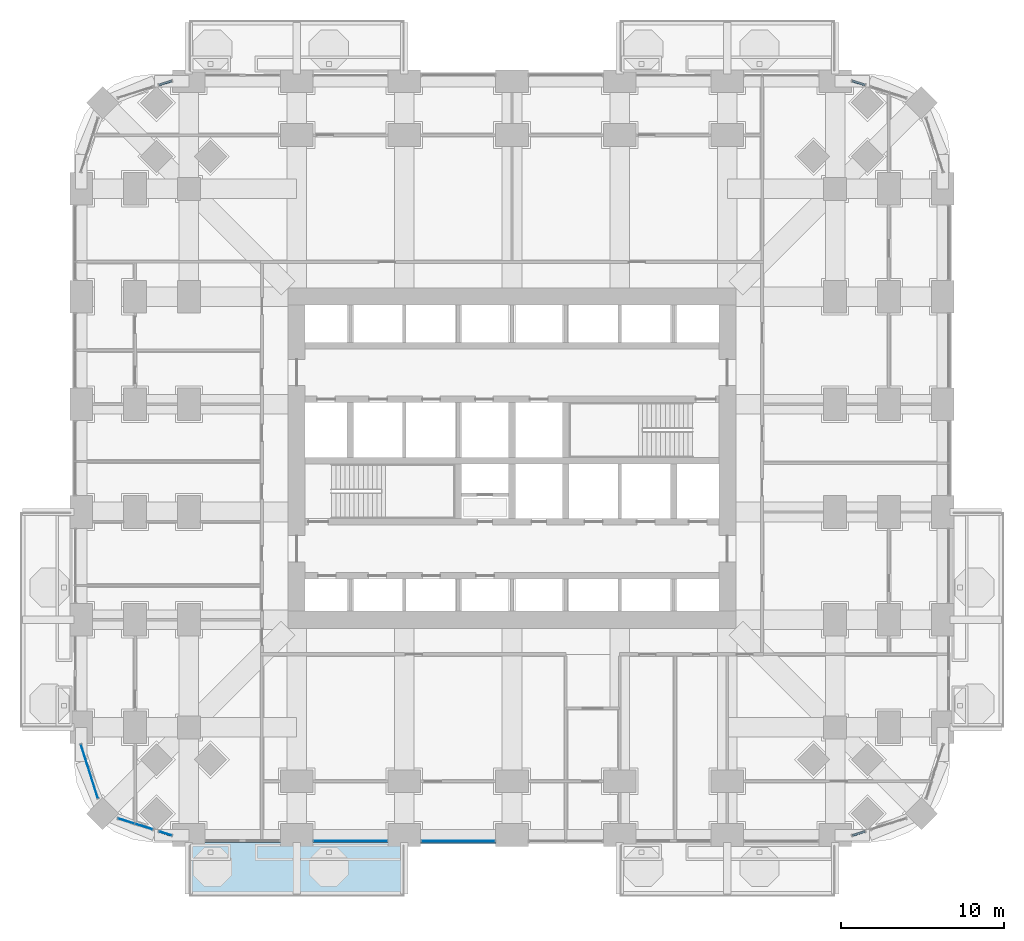
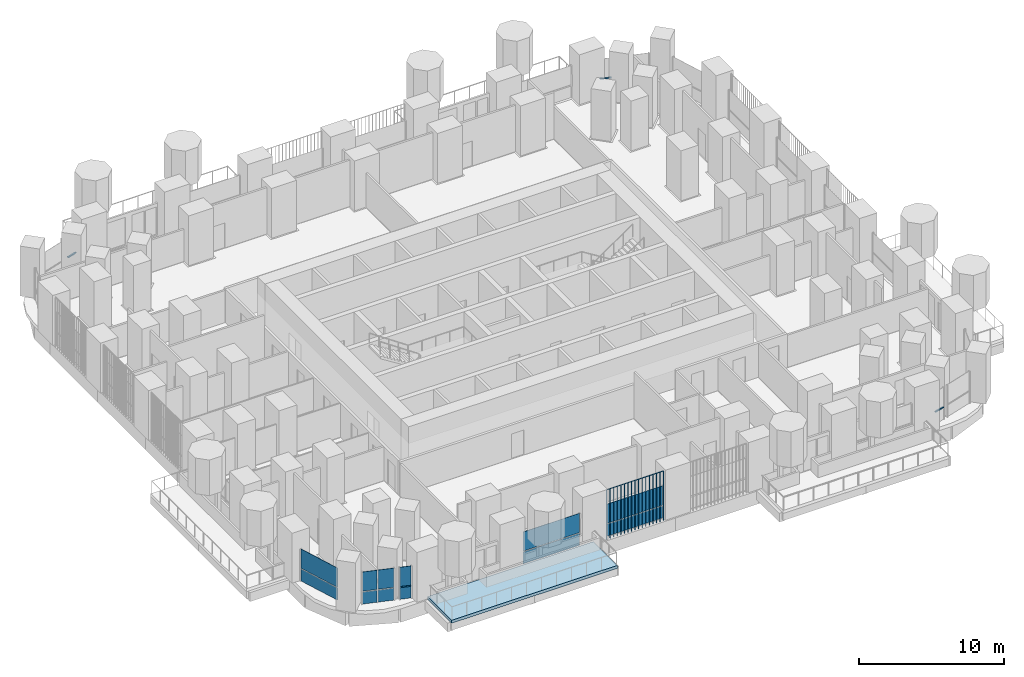
# One storey, part 11 of 25: 13 plates, 4 members, 1 slab, 8 elements without a shape of their own.
"""IFC4 building model written with IfcOpenShell, lengths in metres."""

from ifc_helpers import new_model, si_unit, direction, frame, origin, origin_2d, place, context, subcontext, project, spatial, polyline, rectangle, outline, extrude, material, layer, layer_set, material_profile, profile_set, type_object, element, aggregate, save


model = new_model("IFC4")

# Units and contexts
model_context = context("Model", 3, precision=1e-05, world=origin(), true_north=direction((0.0, 1.0)))
body_context = subcontext(model_context, "Body", "Model", "MODEL_VIEW")
ifc_project = project(units=[si_unit("LENGTHUNIT", "METRE"), si_unit("AREAUNIT", "SQUARE_METRE"), si_unit("VOLUMEUNIT", "CUBIC_METRE"), si_unit("PLANEANGLEUNIT", "RADIAN"), si_unit("MASSUNIT", "GRAM", prefix="KILO")], contexts=[model_context])

# Site, building, storey
site_placement = place(None, origin())
site = spatial("IfcSite", under=ifc_project, at=site_placement, CompositionType="ELEMENT")
building_placement = place(site_placement, origin())
building = spatial("IfcBuilding", under=site, at=building_placement, Name="Cobogo Forest Laboratory Tower", CompositionType="ELEMENT")
storey_placement = place(building_placement, frame((0.0, 0.0, 21.300048828125)))
storey = spatial("IfcBuildingStorey", under=building, at=storey_placement, Name="L04", CompositionType="ELEMENT", Elevation=21.300048828125)

# Curtain wall, member
ifc_material_1 = material(Name="Aluminium curtain wall", Category="aluminium")
curtain_wall_type = type_object("IfcCurtainWallType", Name="CW-1 unitised curtain wall, clear glazing, laboratory floors zones A and B", PredefinedType="USERDEFINED", material=ifc_material_1)
curtain_wall_1_placement = place(storey_placement, origin())
curtain_wall_1 = element("IfcCurtainWall", 1, at=curtain_wall_1_placement, inside=storey, type_object=curtain_wall_type, Name="Curtain wall 07 L04", ObjectType="UNITISED CURTAIN WALL", PredefinedType="USERDEFINED")
ifc_material_2 = material(Name="Aluminium transom", Category="aluminium")
ifc_material_profile = material_profile(ifc_material_2, rectangle(XDim=0.1201171875, YDim=0.06005859375, at=origin_2d()), Name="AL 60x120")
ifc_profile_set = profile_set([ifc_material_profile], Name="Aluminium transom")
member_type = type_object("IfcMemberType", Name="TR-1 aluminium transom 60x120", PredefinedType="USERDEFINED", material=ifc_profile_set)
member_1_placement = place(storey_placement, frame((47.25732421875, -0.01611328125, 1.050048828125), z_axis=(0.953541389606, 0.301262042596, 0.0), x_axis=(-0.301262042596, 0.953541389606, 0.0)))
member_1 = element("IfcMember", 2, at=member_1_placement, type_object=member_type, Name="CW-1 transom 1.1", ObjectType="TRANSOM", PredefinedType="USERDEFINED", context=body_context, shape_type="SweptSolid", body=[
    extrude(rectangle(XDim=0.1201171875, YDim=0.06005859375, at=origin_2d()), origin(), (0.0, 0.0, 1.0), 0.8046875),
])
aggregate(curtain_wall_1, [member_1])

curtain_wall_2_placement = place(storey_placement, origin())
curtain_wall_2 = element("IfcCurtainWall", 3, at=curtain_wall_2_placement, inside=storey, type_object=curtain_wall_type, Name="Curtain wall 17 L04", ObjectType="UNITISED CURTAIN WALL", PredefinedType="USERDEFINED")
member_2_placement = place(storey_placement, frame((48.024658203125, 45.973876953125, 1.050048828125), z_axis=(-0.953628510017, 0.300986153973, 0.0), x_axis=(-0.300986153973, -0.953628510017, 0.0)))
member_2 = element("IfcMember", 4, at=member_2_placement, type_object=member_type, Name="CW-1 transom 1.1", ObjectType="TRANSOM", PredefinedType="USERDEFINED", context=body_context, shape_type="SweptSolid", body=[
    extrude(rectangle(XDim=0.1201171875, YDim=0.06005859375, at=origin_2d()), origin(), (0.0, 0.0, 1.0), 0.8046875),
])
aggregate(curtain_wall_2, [member_2])

curtain_wall_3_placement = place(storey_placement, origin())
curtain_wall_3 = element("IfcCurtainWall", 5, at=curtain_wall_3_placement, inside=storey, type_object=curtain_wall_type, Name="Curtain wall 24 L04", ObjectType="UNITISED CURTAIN WALL", PredefinedType="USERDEFINED")
member_3_placement = place(storey_placement, frame((5.542724609375, 46.216064453125, 1.050048828125), z_axis=(-0.953628510017, -0.300986153973, 0.0), x_axis=(0.300986153973, -0.953628510017, 0.0)))
member_3 = element("IfcMember", 6, at=member_3_placement, type_object=member_type, Name="CW-1 transom 1.1", ObjectType="TRANSOM", PredefinedType="USERDEFINED", context=body_context, shape_type="SweptSolid", body=[
    extrude(rectangle(XDim=0.1201171875, YDim=0.06005859375, at=origin_2d()), origin(), (0.0, 0.0, 1.0), 0.8046875),
])
aggregate(curtain_wall_3, [member_3])

curtain_wall_4_placement = place(storey_placement, origin())
curtain_wall_4 = element("IfcCurtainWall", 7, at=curtain_wall_4_placement, inside=storey, type_object=curtain_wall_type, Name="Curtain wall 34 L04", ObjectType="UNITISED CURTAIN WALL", PredefinedType="USERDEFINED")
member_4_placement = place(storey_placement, frame((4.775390625, 0.226318359375, 1.050048828125), z_axis=(0.953541389606, -0.301262042596, 0.0), x_axis=(0.301262042596, 0.953541389606, 0.0)))
member_4 = element("IfcMember", 8, at=member_4_placement, type_object=member_type, Name="CW-1 transom 1.1", ObjectType="TRANSOM", PredefinedType="USERDEFINED", context=body_context, shape_type="SweptSolid", body=[
    extrude(rectangle(XDim=0.1201171875, YDim=0.06005859375, at=origin_2d()), origin(), (0.0, 0.0, 1.0), 0.8046875),
])

# Slab
ifc_material_3 = material(Name="Concrete HA-40 (C40/50)", Category="concrete")
ifc_layer_1 = layer(ifc_material_3, 0.25)
ifc_layer_set_1 = layer_set([ifc_layer_1], Name="Balcony slab 250")
slab_type = type_object("IfcSlabType", Name="Balcony slab 250", PredefinedType="FLOOR", material=ifc_layer_set_1)
slab_placement = place(storey_placement, frame((0.0, 0.0, -0.25)))
element("IfcSlab", 9, at=slab_placement, inside=storey, type_object=slab_type, Name="Balcony BAL-S1 L04", PredefinedType="FLOOR", context=body_context, shape_type="SweptSolid", body=[
    extrude(outline(polyline([(6.60009765625, -3.75), (19.800048828125, -3.75), (19.800048828125, -0.449951171875), (6.60009765625, -0.449951171875), (6.60009765625, -3.75)])), origin(), (0.0, 0.0, 1.0), 0.25),
])

# Curtain wall, plates
curtain_wall_5_placement = place(storey_placement, origin())
curtain_wall_5 = element("IfcCurtainWall", 10, at=curtain_wall_5_placement, inside=storey, type_object=curtain_wall_type, Name="Curtain wall 02 L04", ObjectType="UNITISED CURTAIN WALL", PredefinedType="USERDEFINED")
ifc_material_4 = material(Name="Clear insulated glass", Category="glass")
ifc_layer_2 = layer(ifc_material_4, 0.028076171875)
ifc_layer_set_2 = layer_set([ifc_layer_2], Name="GP-1 clear insulated glass unit 28")
plate_type_1 = type_object("IfcPlateType", Name="GP-1 clear insulated glass unit 28", PredefinedType="CURTAIN_PANEL", material=ifc_layer_set_2)
plate_1_placement = place(storey_placement, frame((16.5, -0.35009765625, 0.0), z_axis=(0.0, 0.0, 1.0), x_axis=(1.0, 0.0, 0.0)))
plate_1 = element("IfcPlate", 11, at=plate_1_placement, type_object=plate_type_1, Name="CW-1 panel 1.1", PredefinedType="CURTAIN_PANEL", context=body_context, shape_type="SweptSolid", body=[
    extrude(rectangle(XDim=4.47998046875, YDim=0.028076171875, at=origin_2d()), origin(), (0.0, 0.0, 1.0), 1.02001953125),
])
plate_2_placement = place(storey_placement, frame((16.5, -0.35009765625, 1.079833984375), z_axis=(0.0, 0.0, 1.0), x_axis=(1.0, 0.0, 0.0)))
plate_2 = element("IfcPlate", 12, at=plate_2_placement, type_object=plate_type_1, Name="CW-1 panel 1.2", PredefinedType="CURTAIN_PANEL", context=body_context, shape_type="SweptSolid", body=[
    extrude(rectangle(XDim=4.47998046875, YDim=0.028076171875, at=origin_2d()), origin(), (0.0, 0.0, 1.0), 1.6201171875),
])
aggregate(curtain_wall_5, [plate_1, plate_2])

curtain_wall_6_placement = place(storey_placement, origin())
curtain_wall_6 = element("IfcCurtainWall", 13, at=curtain_wall_6_placement, inside=storey, type_object=curtain_wall_type, Name="Curtain wall 03 L04", ObjectType="UNITISED CURTAIN WALL", PredefinedType="USERDEFINED")
plate_3_placement = place(storey_placement, frame((23.10009765625, -0.35009765625, 0.0), z_axis=(0.0, 0.0, 1.0), x_axis=(1.0, 0.0, 0.0)))
plate_3 = element("IfcPlate", 14, at=plate_3_placement, type_object=plate_type_1, Name="CW-1 panel 1.1", PredefinedType="CURTAIN_PANEL", context=body_context, shape_type="SweptSolid", body=[
    extrude(rectangle(XDim=4.47998046875, YDim=0.028076171875, at=origin_2d()), origin(), (0.0, 0.0, 1.0), 1.02001953125),
])
plate_4_placement = place(storey_placement, frame((23.10009765625, -0.35009765625, 1.079833984375), z_axis=(0.0, 0.0, 1.0), x_axis=(1.0, 0.0, 0.0)))
plate_4 = element("IfcPlate", 15, at=plate_4_placement, type_object=plate_type_1, Name="CW-1 panel 1.2", PredefinedType="CURTAIN_PANEL", context=body_context, shape_type="SweptSolid", body=[
    extrude(rectangle(XDim=4.47998046875, YDim=0.028076171875, at=origin_2d()), origin(), (0.0, 0.0, 1.0), 1.6201171875),
])
aggregate(curtain_wall_6, [plate_3, plate_4])

curtain_wall_7_placement = place(storey_placement, origin())
curtain_wall_7 = element("IfcCurtainWall", 16, at=curtain_wall_7_placement, inside=storey, type_object=curtain_wall_type, Name="Curtain wall 32 L04", ObjectType="UNITISED CURTAIN WALL", PredefinedType="USERDEFINED")
plate_5_placement = place(storey_placement, frame((0.5009765625, 3.905029296875, 0.0), z_axis=(0.0, 0.0, 1.0), x_axis=(0.301135433696, -0.953581381201, 0.0)))
plate_5 = element("IfcPlate", 17, at=plate_5_placement, type_object=plate_type_1, Name="CW-1 panel 1.1", PredefinedType="CURTAIN_PANEL", context=body_context, shape_type="SweptSolid", body=[
    extrude(rectangle(XDim=3.434814453125, YDim=0.028076171875, at=origin_2d()), origin(), (0.0, 0.0, 1.0), 1.02001953125),
])
plate_6_placement = place(storey_placement, frame((0.5009765625, 3.905029296875, 1.079833984375), z_axis=(0.0, 0.0, 1.0), x_axis=(0.301135433696, -0.953581381201, 0.0)))
plate_6 = element("IfcPlate", 18, at=plate_6_placement, type_object=plate_type_1, Name="CW-1 panel 1.2", PredefinedType="CURTAIN_PANEL", context=body_context, shape_type="SweptSolid", body=[
    extrude(rectangle(XDim=3.434814453125, YDim=0.028076171875, at=origin_2d()), origin(), (0.0, 0.0, 1.0), 1.6201171875),
])
aggregate(curtain_wall_7, [plate_5, plate_6])

curtain_wall_8_placement = place(storey_placement, origin())
curtain_wall_8 = element("IfcCurtainWall", 19, at=curtain_wall_8_placement, inside=storey, type_object=curtain_wall_type, Name="Curtain wall 33 L04", ObjectType="UNITISED CURTAIN WALL", PredefinedType="USERDEFINED")
plate_7_placement = place(storey_placement, frame((2.75732421875, 0.863525390625, 0.0), z_axis=(0.0, 0.0, 1.0), x_axis=(0.953581409645, -0.301135343623, 0.0)))
plate_7 = element("IfcPlate", 20, at=plate_7_placement, type_object=plate_type_1, Name="CW-1 panel 1.1", PredefinedType="CURTAIN_PANEL", context=body_context, shape_type="SweptSolid", body=[
    extrude(rectangle(XDim=1.027587890625, YDim=0.028076171875, at=origin_2d()), origin(), (0.0, 0.0, 1.0), 1.02001953125),
])
plate_8_placement = place(storey_placement, frame((2.75732421875, 0.863525390625, 1.079833984375), z_axis=(0.0, 0.0, 1.0), x_axis=(0.953581409645, -0.301135343623, 0.0)))
plate_8 = element("IfcPlate", 21, at=plate_8_placement, type_object=plate_type_1, Name="CW-1 panel 1.2", PredefinedType="CURTAIN_PANEL", context=body_context, shape_type="SweptSolid", body=[
    extrude(rectangle(XDim=1.027587890625, YDim=0.028076171875, at=origin_2d()), origin(), (0.0, 0.0, 1.0), 1.6201171875),
])
plate_9_placement = place(storey_placement, frame((3.83642578125, 0.522705078125, 0.0), z_axis=(0.0, 0.0, 1.0), x_axis=(0.953581409645, -0.301135343623, 0.0)))
plate_9 = element("IfcPlate", 22, at=plate_9_placement, type_object=plate_type_1, Name="CW-1 panel 2.1", PredefinedType="CURTAIN_PANEL", context=body_context, shape_type="SweptSolid", body=[
    extrude(rectangle(XDim=1.11572265625, YDim=0.028076171875, at=origin_2d()), origin(), (0.0, 0.0, 1.0), 1.02001953125),
])
plate_10_placement = place(storey_placement, frame((3.83642578125, 0.522705078125, 1.079833984375), z_axis=(0.0, 0.0, 1.0), x_axis=(0.953581409645, -0.301135343623, 0.0)))
plate_10 = element("IfcPlate", 23, at=plate_10_placement, type_object=plate_type_1, Name="CW-1 panel 2.2", PredefinedType="CURTAIN_PANEL", context=body_context, shape_type="SweptSolid", body=[
    extrude(rectangle(XDim=1.11572265625, YDim=0.028076171875, at=origin_2d()), origin(), (0.0, 0.0, 1.0), 1.6201171875),
])
aggregate(curtain_wall_8, [plate_7, plate_8, plate_9, plate_10])

# Plate
plate_11_placement = place(storey_placement, frame((5.158935546875, 0.10498046875, 0.0), z_axis=(0.0, 0.0, 1.0), x_axis=(0.953581406818, -0.301135352577, 0.0)))
plate_11 = element("IfcPlate", 24, at=plate_11_placement, type_object=plate_type_1, Name="CW-1 panel 1.1", PredefinedType="CURTAIN_PANEL", context=body_context, shape_type="SweptSolid", body=[
    extrude(rectangle(XDim=0.804931640625, YDim=0.028076171875, at=origin_2d()), origin(), (0.0, 0.0, 1.0), 1.02001953125),
])

plate_12_placement = place(storey_placement, frame((5.158935546875, 0.10498046875, 1.079833984375), z_axis=(0.0, 0.0, 1.0), x_axis=(0.953581406818, -0.301135352577, 0.0)))
plate_12 = element("IfcPlate", 25, at=plate_12_placement, type_object=plate_type_1, Name="CW-1 panel 1.2", PredefinedType="CURTAIN_PANEL", context=body_context, shape_type="SweptSolid", body=[
    extrude(rectangle(XDim=0.804931640625, YDim=0.028076171875, at=origin_2d()), origin(), (0.0, 0.0, 1.0), 1.6201171875),
])

aggregate(curtain_wall_4, [member_4, plate_11, plate_12])

ifc_material_5 = material(Name="Terracotta", Category="masonry")
plate_type_2 = type_object("IfcPlateType", Name="TB1 terracotta baguette screen", PredefinedType="USERDEFINED", material=ifc_material_5)
plate_13_placement = place(storey_placement, frame((20.831298828125, -0.477783203125, -0.150146484375)))
element("IfcPlate", 26, at=plate_13_placement, inside=storey, type_object=plate_type_2, Name="Baguette screen S3 L04", ObjectType="BAGUETTE SCREEN", PredefinedType="USERDEFINED", context=body_context, shape_type="SweptSolid", body=[
    extrude(outline(polyline([(0.02880859375, 0.011962890625), (0.011962890625, 0.02880859375), (-0.011962890625, 0.02880859375), (-0.02880859375, 0.011962890625), (-0.02880859375, -0.011962890625), (-0.011962890625, -0.02880859375), (0.011962890625, -0.02880859375), (0.02880859375, -0.011962890625), (0.02880859375, 0.011962890625)])), frame((0.0, 0.0, 4.168701171875), z_axis=(1.0, 0.0, 0.0), x_axis=(0.0, 1.0, 0.0)), (0.0, 0.0, 1.0), 4.537353515625),
    extrude(outline(polyline([(0.02880859375, 0.011962890625), (0.011962890625, 0.02880859375), (-0.011962890625, 0.02880859375), (-0.02880859375, 0.011962890625), (-0.02880859375, -0.011962890625), (-0.011962890625, -0.02880859375), (0.011962890625, -0.02880859375), (0.02880859375, -0.011962890625), (0.02880859375, 0.011962890625)])), origin(), (0.0, 0.0, 1.0), 4.137451171875),
    extrude(outline(polyline([(0.02880859375, 0.011962890625), (0.011962890625, 0.02880859375), (-0.011962890625, 0.02880859375), (-0.02880859375, 0.011962890625), (-0.02880859375, -0.011962890625), (-0.011962890625, -0.02880859375), (0.011962890625, -0.02880859375), (0.02880859375, -0.011962890625), (0.02880859375, 0.011962890625)])), frame((0.28369140625, 0.0, 0.0)), (0.0, 0.0, 1.0), 4.137451171875),
    extrude(outline(polyline([(0.02880859375, 0.011962890625), (0.011962890625, 0.02880859375), (-0.011962890625, 0.02880859375), (-0.02880859375, 0.011962890625), (-0.02880859375, -0.011962890625), (-0.011962890625, -0.02880859375), (0.011962890625, -0.02880859375), (0.02880859375, -0.011962890625), (0.02880859375, 0.011962890625)])), frame((0.567138671875, 0.0, 0.0)), (0.0, 0.0, 1.0), 4.137451171875),
    extrude(outline(polyline([(0.02880859375, 0.011962890625), (0.011962890625, 0.02880859375), (-0.011962890625, 0.02880859375), (-0.02880859375, 0.011962890625), (-0.02880859375, -0.011962890625), (-0.011962890625, -0.02880859375), (0.011962890625, -0.02880859375), (0.02880859375, -0.011962890625), (0.02880859375, 0.011962890625)])), frame((0.850830078125, 0.0, 0.0)), (0.0, 0.0, 1.0), 4.137451171875),
    extrude(outline(polyline([(0.02880859375, 0.011962890625), (0.011962890625, 0.02880859375), (-0.011962890625, 0.02880859375), (-0.02880859375, 0.011962890625), (-0.02880859375, -0.011962890625), (-0.011962890625, -0.02880859375), (0.011962890625, -0.02880859375), (0.02880859375, -0.011962890625), (0.02880859375, 0.011962890625)])), frame((1.13427734375, 0.0, 0.0)), (0.0, 0.0, 1.0), 4.137451171875),
    extrude(outline(polyline([(0.02880859375, 0.011962890625), (0.011962890625, 0.02880859375), (-0.011962890625, 0.02880859375), (-0.02880859375, 0.011962890625), (-0.02880859375, -0.011962890625), (-0.011962890625, -0.02880859375), (0.011962890625, -0.02880859375), (0.02880859375, -0.011962890625), (0.02880859375, 0.011962890625)])), frame((1.41796875, 0.0, 0.0)), (0.0, 0.0, 1.0), 4.137451171875),
    extrude(outline(polyline([(0.02880859375, 0.011962890625), (0.011962890625, 0.02880859375), (-0.011962890625, 0.02880859375), (-0.02880859375, 0.011962890625), (-0.02880859375, -0.011962890625), (-0.011962890625, -0.02880859375), (0.011962890625, -0.02880859375), (0.02880859375, -0.011962890625), (0.02880859375, 0.011962890625)])), frame((1.701416015625, 0.0, 0.0)), (0.0, 0.0, 1.0), 4.137451171875),
    extrude(outline(polyline([(0.02880859375, 0.011962890625), (0.011962890625, 0.02880859375), (-0.011962890625, 0.02880859375), (-0.02880859375, 0.011962890625), (-0.02880859375, -0.011962890625), (-0.011962890625, -0.02880859375), (0.011962890625, -0.02880859375), (0.02880859375, -0.011962890625), (0.02880859375, 0.011962890625)])), frame((1.985107421875, 0.0, 0.0)), (0.0, 0.0, 1.0), 4.137451171875),
    extrude(outline(polyline([(0.02880859375, 0.011962890625), (0.011962890625, 0.02880859375), (-0.011962890625, 0.02880859375), (-0.02880859375, 0.011962890625), (-0.02880859375, -0.011962890625), (-0.011962890625, -0.02880859375), (0.011962890625, -0.02880859375), (0.02880859375, -0.011962890625), (0.02880859375, 0.011962890625)])), frame((2.2685546875, 0.0, 0.0)), (0.0, 0.0, 1.0), 4.137451171875),
    extrude(outline(polyline([(0.02880859375, 0.011962890625), (0.011962890625, 0.02880859375), (-0.011962890625, 0.02880859375), (-0.02880859375, 0.011962890625), (-0.02880859375, -0.011962890625), (-0.011962890625, -0.02880859375), (0.011962890625, -0.02880859375), (0.02880859375, -0.011962890625), (0.02880859375, 0.011962890625)])), frame((2.55224609375, 0.0, 0.0)), (0.0, 0.0, 1.0), 4.137451171875),
    extrude(outline(polyline([(0.02880859375, 0.011962890625), (0.011962890625, 0.02880859375), (-0.011962890625, 0.02880859375), (-0.02880859375, 0.011962890625), (-0.02880859375, -0.011962890625), (-0.011962890625, -0.02880859375), (0.011962890625, -0.02880859375), (0.02880859375, -0.011962890625), (0.02880859375, 0.011962890625)])), frame((2.8359375, 0.0, 0.0)), (0.0, 0.0, 1.0), 4.137451171875),
    extrude(outline(polyline([(0.02880859375, 0.011962890625), (0.011962890625, 0.02880859375), (-0.011962890625, 0.02880859375), (-0.02880859375, 0.011962890625), (-0.02880859375, -0.011962890625), (-0.011962890625, -0.02880859375), (0.011962890625, -0.02880859375), (0.02880859375, -0.011962890625), (0.02880859375, 0.011962890625)])), frame((3.119384765625, 0.0, 0.0)), (0.0, 0.0, 1.0), 4.137451171875),
    extrude(outline(polyline([(0.02880859375, 0.011962890625), (0.011962890625, 0.02880859375), (-0.011962890625, 0.02880859375), (-0.02880859375, 0.011962890625), (-0.02880859375, -0.011962890625), (-0.011962890625, -0.02880859375), (0.011962890625, -0.02880859375), (0.02880859375, -0.011962890625), (0.02880859375, 0.011962890625)])), frame((3.403076171875, 0.0, 0.0)), (0.0, 0.0, 1.0), 4.137451171875),
    extrude(outline(polyline([(0.02880859375, 0.011962890625), (0.011962890625, 0.02880859375), (-0.011962890625, 0.02880859375), (-0.02880859375, 0.011962890625), (-0.02880859375, -0.011962890625), (-0.011962890625, -0.02880859375), (0.011962890625, -0.02880859375), (0.02880859375, -0.011962890625), (0.02880859375, 0.011962890625)])), frame((3.6865234375, 0.0, 0.0)), (0.0, 0.0, 1.0), 4.137451171875),
    extrude(outline(polyline([(0.02880859375, 0.011962890625), (0.011962890625, 0.02880859375), (-0.011962890625, 0.02880859375), (-0.02880859375, 0.011962890625), (-0.02880859375, -0.011962890625), (-0.011962890625, -0.02880859375), (0.011962890625, -0.02880859375), (0.02880859375, -0.011962890625), (0.02880859375, 0.011962890625)])), frame((3.97021484375, 0.0, 0.0)), (0.0, 0.0, 1.0), 4.137451171875),
    extrude(outline(polyline([(0.02880859375, 0.011962890625), (0.011962890625, 0.02880859375), (-0.011962890625, 0.02880859375), (-0.02880859375, 0.011962890625), (-0.02880859375, -0.011962890625), (-0.011962890625, -0.02880859375), (0.011962890625, -0.02880859375), (0.02880859375, -0.011962890625), (0.02880859375, 0.011962890625)])), frame((4.253662109375, 0.0, 0.0)), (0.0, 0.0, 1.0), 4.137451171875),
    extrude(outline(polyline([(0.02880859375, 0.011962890625), (0.011962890625, 0.02880859375), (-0.011962890625, 0.02880859375), (-0.02880859375, 0.011962890625), (-0.02880859375, -0.011962890625), (-0.011962890625, -0.02880859375), (0.011962890625, -0.02880859375), (0.02880859375, -0.011962890625), (0.02880859375, 0.011962890625)])), frame((4.537353515625, 0.0, 0.0)), (0.0, 0.0, 1.0), 4.137451171875),
])

save(model, "model.ifc")
